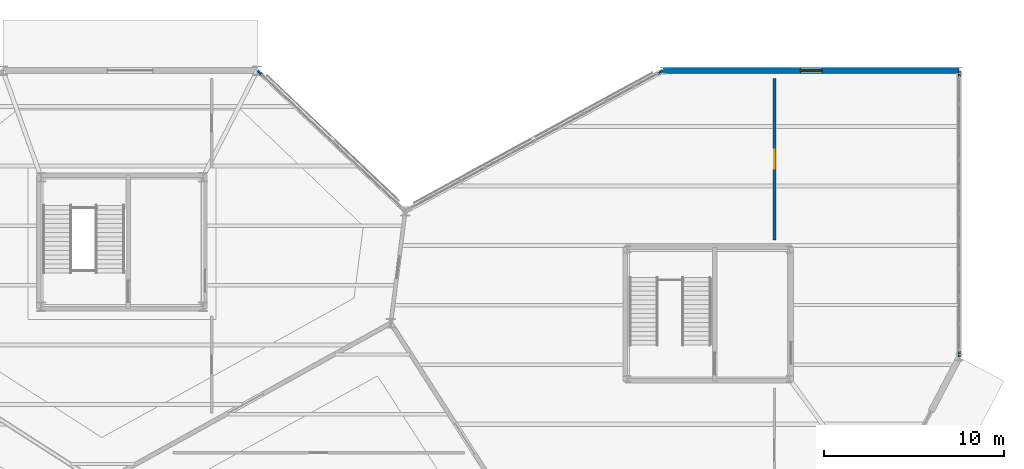
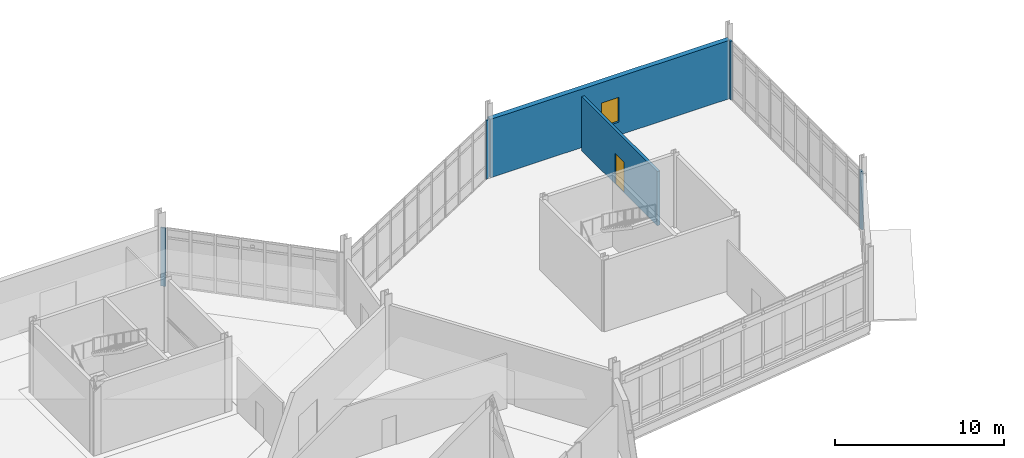
# One storey, part 100 of 113: 6 walls, 1 door, 1 window, 2 openings.
"""IFC4 building model written with IfcOpenShell, lengths in metres."""

from ifc_helpers import new_model, si_unit, direction, frame, frame_2d, origin, place, context, subcontext, project, spatial, rectangle, extrude, material, layer, layer_set, type_object, element, fill, save


model = new_model("IFC4")

# Units and contexts
model_context = context("Model", 3, precision=1e-05, world=origin(), true_north=direction((0.0, 1.0)))
body_context = subcontext(model_context, "Body", "Model", "MODEL_VIEW")
ifc_project = project(units=[si_unit("LENGTHUNIT", "METRE"), si_unit("AREAUNIT", "SQUARE_METRE"), si_unit("VOLUMEUNIT", "CUBIC_METRE"), si_unit("PLANEANGLEUNIT", "RADIAN"), si_unit("MASSUNIT", "GRAM", prefix="KILO")], contexts=[model_context])

# Site, building, storey
site_placement = place(None, origin())
site = spatial("IfcSite", under=ifc_project, at=site_placement, CompositionType="ELEMENT")
building_placement = place(site_placement, origin())
building = spatial("IfcBuilding", under=site, at=building_placement, Name="Tameran Prism Museum", CompositionType="ELEMENT")
storey_placement = place(building_placement, origin())
storey = spatial("IfcBuildingStorey", under=building, at=storey_placement, Name="L00", CompositionType="ELEMENT", Elevation=0.0)

# Walls
ifc_material_1 = material(Name="Precast Concrete N40 (40 MPa)", Category="concrete")
ifc_layer_1 = layer(ifc_material_1, 0.094970703125)
ifc_layer_set_1 = layer_set([ifc_layer_1])
wall_type_1 = type_object("IfcWallType", Name="EW-CLOS-095", PredefinedType="SOLIDWALL", material=ifc_layer_set_1)
wall_1_placement = place(storey_placement, frame((127.530029296875, 111.970947265625, 0.0), z_axis=(0.0, 0.0, 1.0), x_axis=(0.726243974232, -0.687437044311, 0.0)))
element("IfcWall", 1, at=wall_1_placement, inside=storey, type_object=wall_type_1, Name="Facade Corner Closure EW-0073", PredefinedType="SOLIDWALL", context=body_context, shape_type="SweptSolid", body=[
    extrude(rectangle(XDim=0.308349609375, YDim=0.094970703125, at=frame_2d((0.154296875, 0.0))), origin(), (0.0, 0.0, 1.0), 4.219970703125),
])
wall_2_placement = place(storey_placement, frame((166.39990234375, 111.9580078125, 0.0), z_axis=(0.0, 0.0, 1.0), x_axis=(0.0, -1.0, 0.0)))
element("IfcWall", 2, at=wall_2_placement, inside=storey, type_object=wall_type_1, Name="Facade Corner Closure EW-0082", PredefinedType="SOLIDWALL", context=body_context, shape_type="SweptSolid", body=[
    extrude(rectangle(XDim=0.30810546875, YDim=0.094970703125, at=frame_2d((0.154052734375, 0.0))), origin(), (0.0, 0.0, 1.0), 4.219970703125),
])
wall_3_placement = place(storey_placement, frame((166.39990234375, 96.449951171875, 0.0), z_axis=(0.0, 0.0, 1.0), x_axis=(0.0, -1.0, 0.0)))
element("IfcWall", 3, at=wall_3_placement, inside=storey, type_object=wall_type_1, Name="Facade Corner Closure EW-0083", PredefinedType="SOLIDWALL", context=body_context, shape_type="SweptSolid", body=[
    extrude(rectangle(XDim=0.307861328125, YDim=0.094970703125, at=frame_2d((0.15380859375, 0.0))), origin(), (0.0, 0.0, 1.0), 4.219970703125),
])
wall_4_placement = place(storey_placement, frame((149.693115234375, 111.83203125, 0.0), z_axis=(0.0, 0.0, 1.0), x_axis=(0.876801617046, 0.480852289529, 0.0)))
element("IfcWall", 4, at=wall_4_placement, inside=storey, type_object=wall_type_1, Name="Facade Corner Closure EW-0086", PredefinedType="SOLIDWALL", context=body_context, shape_type="SweptSolid", body=[
    extrude(rectangle(XDim=0.3076171875, YDim=0.094970703125, at=frame_2d((0.15380859375, 0.0))), origin(), (0.0, 0.0, 1.0), 4.219970703125),
])

# Wall, opening, window
ifc_material_2 = material(Name="Precast Concrete N40 (40 MPa)", Category="concrete")
ifc_layer_2 = layer(ifc_material_2, 0.340087890625)
ifc_layer_set_2 = layer_set([ifc_layer_2])
wall_type_2 = type_object("IfcWallType", Name="EW-GAL-340", PredefinedType="SOLIDWALL", material=ifc_layer_set_2)
wall_5_placement = place(storey_placement, frame((150.0, 112.0, 0.0), z_axis=(0.0, 0.0, 1.0), x_axis=(1.0, 0.0, 0.0)))
wall_5 = element("IfcWall", 5, at=wall_5_placement, inside=storey, type_object=wall_type_2, Name="Exterior Fluted Precast Wall EW-0084", PredefinedType="SOLIDWALL", context=body_context, shape_type="SweptSolid", body=[
    extrude(rectangle(XDim=16.39990234375, YDim=0.340087890625, at=frame_2d((8.199951171875, 0.0))), origin(), (0.0, 0.0, 1.0), 4.219970703125),
])
opening_1_placement = place(wall_5_placement, frame((7.60009765625, 0.0, 0.949951171875)))
opening_1 = element("IfcOpeningElement", 6, at=opening_1_placement, cuts=wall_5, Name="Opening W-001", PredefinedType="OPENING", context=body_context, shape_type="SweptSolid", body=[
    extrude(rectangle(XDim=1.199951171875, YDim=1.800048828125, at=frame_2d((0.60009765625, 0.89990234375))), frame((0.0, 0.179931640625, 0.0), z_axis=(0.0, -1.0, 0.0), x_axis=(1.0, 0.0, 0.0)), (0.0, 0.0, 1.0), 0.360107421875),
])
ifc_material_3 = material(Name="Cyclone Laminated Low-E Glass in 6063-T6 Frame", Category="glass")
window_type = type_object("IfcWindowType", Name="WIN-W01", PartitioningType="SINGLE_PANEL", PredefinedType="WINDOW", material=ifc_material_3)
window_placement = place(opening_1_placement, origin())
window = element("IfcWindow", 7, at=window_placement, inside=storey, type_object=window_type, Name="Solar-Shaded Window W-001", OverallHeight=1.800048828125, OverallWidth=1.199951171875, PartitioningType="SINGLE_PANEL", PredefinedType="WINDOW", context=body_context, shape_type="SweptSolid", body=[
    extrude(rectangle(XDim=1.199951171875, YDim=1.800048828125, at=frame_2d((0.60009765625, 0.89990234375))), frame((0.0, 0.030029296875, 0.0), z_axis=(0.0, -1.0, 0.0), x_axis=(1.0, 0.0, 0.0)), (0.0, 0.0, 1.0), 0.06005859375),
])
fill(opening_1, window)

# Wall, opening, door
ifc_material_4 = material(Name="Acoustic Double Stud Plasterboard")
ifc_layer_3 = layer(ifc_material_4, 0.18505859375)
ifc_layer_set_3 = layer_set([ifc_layer_3])
wall_type_3 = type_object("IfcWallType", Name="IW-PRT-185", PredefinedType="PARTITIONING", material=ifc_layer_set_3)
wall_6_placement = place(storey_placement, frame((156.1640625, 102.60009765625, 0.0), z_axis=(0.0, 0.0, 1.0), x_axis=(0.0, 1.0, 0.0)))
wall_6 = element("IfcWall", 8, at=wall_6_placement, inside=storey, type_object=wall_type_3, Name="Internal Partition PT-0056", PredefinedType="PARTITIONING", context=body_context, shape_type="SweptSolid", body=[
    extrude(rectangle(XDim=8.949951171875, YDim=0.18505859375, at=frame_2d((4.47509765625, 0.0))), origin(), (0.0, 0.0, 1.0), 3.919921875),
])
opening_2_placement = place(wall_6_placement, frame((3.949951171875, 0.0, 0.0)))
opening_2 = element("IfcOpeningElement", 9, at=opening_2_placement, cuts=wall_6, Name="Opening ID-0055", PredefinedType="OPENING", context=body_context, shape_type="SweptSolid", body=[
    extrude(rectangle(XDim=1.050048828125, YDim=2.199951171875, at=frame_2d((0.52490234375, 1.10009765625))), frame((0.0, 0.1025390625, 0.0), z_axis=(0.0, -1.0, 0.0), x_axis=(1.0, 0.0, 0.0)), (0.0, 0.0, 1.0), 0.205078125),
])
ifc_material_5 = material(Name="Fire-Rated Steel Door Leaf and Frame", Category="steel")
door_type = type_object("IfcDoorType", Name="DR-INT-105", OperationType="NOTDEFINED", PredefinedType="DOOR", material=ifc_material_5)
door_placement = place(opening_2_placement, origin())
door = element("IfcDoor", 10, at=door_placement, inside=storey, type_object=door_type, Name="Interior Room Door ID-0055", OperationType="SINGLE_SWING_RIGHT", OverallHeight=2.199951171875, OverallWidth=1.050048828125, PredefinedType="DOOR", context=body_context, shape_type="SweptSolid", body=[
    extrude(rectangle(XDim=1.050048828125, YDim=2.199951171875, at=frame_2d((0.52490234375, 1.10009765625))), frame((0.0, 0.02490234375, 0.0), z_axis=(0.0, -1.0, 0.0), x_axis=(1.0, 0.0, 0.0)), (0.0, 0.0, 1.0), 0.050048828125),
])
fill(opening_2, door)

save(model, "model.ifc")
